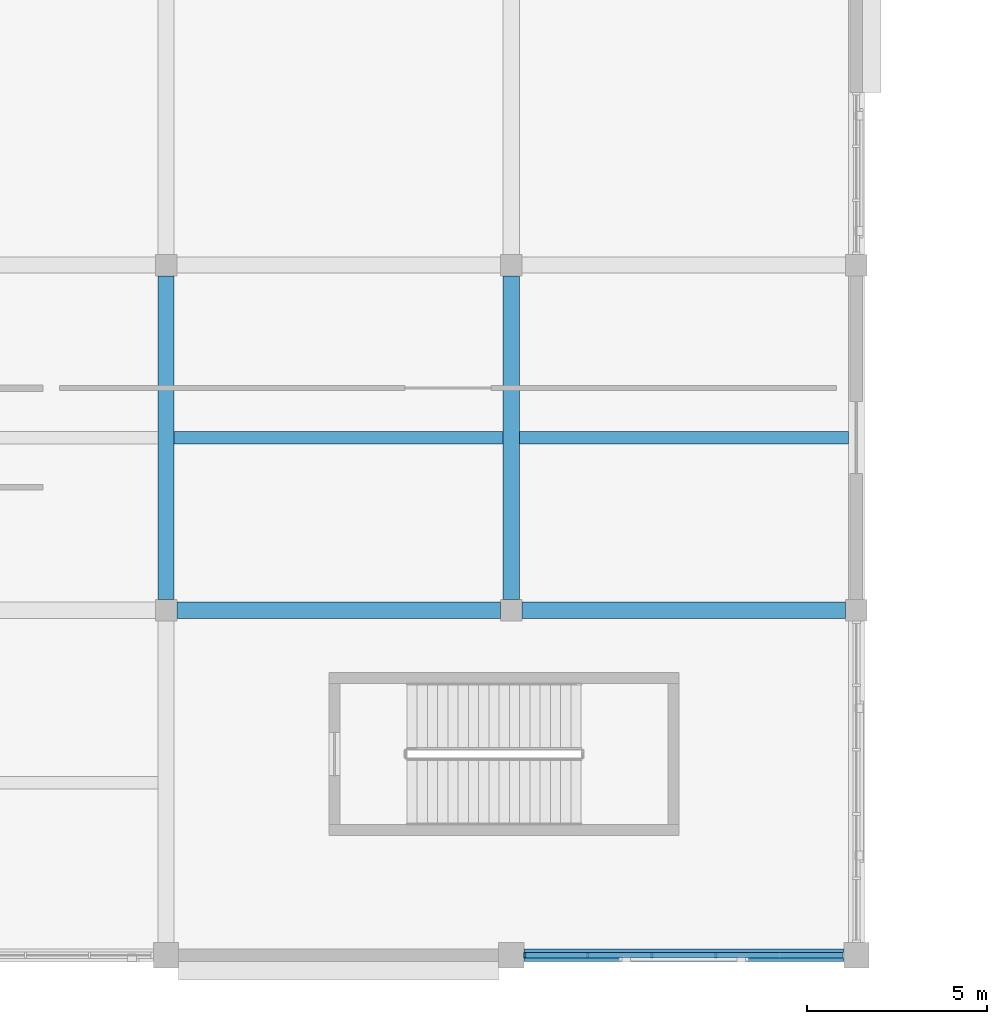
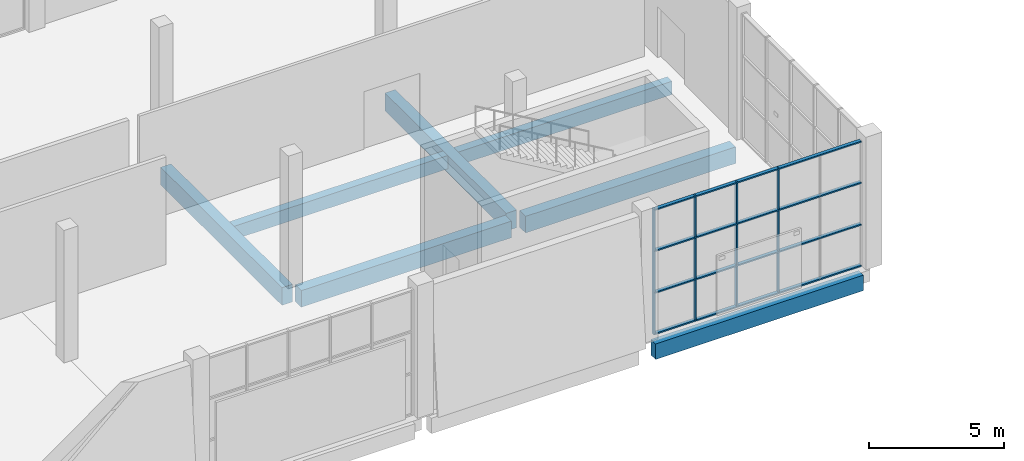
# One storey, part 6 of 84: 8 members, 7 beams, 1 element without a shape of its own.
"""IFC4 building model written with IfcOpenShell, lengths in metres."""

from ifc_helpers import new_model, si_unit, direction, frame, origin, origin_2d, place, context, subcontext, project, spatial, rectangle, extrude, material, material_profile, profile_set, type_object, element, aggregate, save


model = new_model("IFC4")

# Units and contexts
model_context = context("Model", 3, precision=1e-05, world=origin(), true_north=direction((0.0, 1.0)))
body_context = subcontext(model_context, "Body", "Model", "MODEL_VIEW")
ifc_project = project(units=[si_unit("LENGTHUNIT", "METRE"), si_unit("AREAUNIT", "SQUARE_METRE"), si_unit("VOLUMEUNIT", "CUBIC_METRE"), si_unit("PLANEANGLEUNIT", "RADIAN"), si_unit("MASSUNIT", "GRAM", prefix="KILO")], contexts=[model_context])

# Site, building, storey
site_placement = place(None, origin())
site = spatial("IfcSite", under=ifc_project, at=site_placement, CompositionType="ELEMENT")
building_placement = place(site_placement, origin())
building = spatial("IfcBuilding", under=site, at=building_placement, Name="Shalvenor Court Art Gallery", CompositionType="ELEMENT")
storey_placement = place(building_placement, origin())
storey = spatial("IfcBuildingStorey", under=building, at=storey_placement, Name="L00", CompositionType="ELEMENT", Elevation=0.0)

# Beams
ifc_material_1 = material(Name="Concrete C40/50", Category="concrete")
ifc_material_profile_1 = material_profile(ifc_material_1, rectangle(XDim=0.449951171875, YDim=0.800048828125, at=origin_2d()), Name="RC 450x800")
ifc_profile_set_1 = profile_set([ifc_material_profile_1], Name="Concrete C40/50")
beam_type_1 = type_object("IfcBeamType", Name="B-03", PredefinedType="BEAM", material=ifc_profile_set_1)
for number, where, z_axis, x_axis, name in (
    (1, (48.0, 9.89990234375, -0.739990234375), (0.0, 1.0, 0.0), (-1.0, 0.0, 0.0), "L00 Girder BM-L00-B-03-0042"),
    (2, (57.60009765625, 9.89990234375, -0.739990234375), (0.0, 1.0, 0.0), (-1.0, 0.0, 0.0), "L00 Girder BM-L00-B-03-0046"),
):
    element("IfcBeam", number, at=place(storey_placement, frame(where, z_axis=z_axis, x_axis=x_axis)), inside=storey, type_object=beam_type_1, Name=name, PredefinedType="BEAM", context=body_context, shape_type="SweptSolid", body=[
        extrude(rectangle(XDim=0.449951171875, YDim=0.800048828125, at=origin_2d()), origin(), (0.0, 0.0, 1.0), 9.0),
    ])
ifc_material_2 = material(Name="Concrete C40/50", Category="concrete")
ifc_material_profile_2 = material_profile(ifc_material_2, rectangle(XDim=0.449951171875, YDim=0.75, at=origin_2d()), Name="RC 450x750")
ifc_profile_set_2 = profile_set([ifc_material_profile_2], Name="Concrete C40/50")
beam_type_2 = type_object("IfcBeamType", Name="B-04", PredefinedType="BEAM", material=ifc_profile_set_2)
for number, where, z_axis, x_axis, name in (
    (3, (48.300048828125, 9.60009765625, -0.715087890625), (1.0, 0.0, 0.0), (0.0, 1.0, 0.0), "L00 Girder BM-L00-B-04-0154"),
    (4, (57.89990234375, 9.60009765625, -0.715087890625), (1.0, 0.0, 0.0), (0.0, 1.0, 0.0), "L00 Girder BM-L00-B-04-0155"),
):
    element("IfcBeam", number, at=place(storey_placement, frame(where, z_axis=z_axis, x_axis=x_axis)), inside=storey, type_object=beam_type_2, Name=name, PredefinedType="BEAM", context=body_context, shape_type="SweptSolid", body=[
        extrude(rectangle(XDim=0.449951171875, YDim=0.75, at=origin_2d()), origin(), (0.0, 0.0, 1.0), 9.0),
    ])

# Curtain wall, members
ifc_material_3 = material(Name="Anodised aluminium and low-iron glass curtain wall", Category="aluminium")
curtain_wall_type = type_object("IfcCurtainWallType", Name="CW-5x3-89-57-611", PredefinedType="USERDEFINED", material=ifc_material_3)
curtain_wall_placement = place(storey_placement, origin())
curtain_wall = element("IfcCurtainWall", 5, at=curtain_wall_placement, inside=storey, type_object=curtain_wall_type, Name="L00 V4 Curtain Wall CW-L00-123", ObjectType="CURTAIN WALL", PredefinedType="USERDEFINED")
ifc_material_4 = material(Name="Anodised aluminium mullion", Category="aluminium")
ifc_material_profile_3 = material_profile(ifc_material_4, rectangle(XDim=0.054931640625, YDim=0.139892578125, at=origin_2d()), Name="CWM-06")
ifc_profile_set_3 = profile_set([ifc_material_profile_3], Name="Anodised aluminium mullion")
member_type_1 = type_object("IfcMemberType", Name="CWM-06", PredefinedType="MULLION", material=ifc_profile_set_3)
member_1_placement = place(storey_placement, frame((63.2900390625, 0.0, 0.0), z_axis=(0.0, 0.0, 1.0), x_axis=(-1.0, 0.0, 0.0)))
member_1 = element("IfcMember", 6, at=member_1_placement, type_object=member_type_1, Name="CW-5x3-89-57-611 mullion 3", PredefinedType="MULLION", context=body_context, shape_type="SweptSolid", body=[
    extrude(rectangle(XDim=0.054931640625, YDim=0.139892578125, at=origin_2d()), origin(), (0.0, 0.0, 1.0), 5.679931640625),
])
member_2_placement = place(storey_placement, frame((61.510009765625, 0.0, 0.0), z_axis=(0.0, 0.0, 1.0), x_axis=(-1.0, 0.0, 0.0)))
member_2 = element("IfcMember", 7, at=member_2_placement, type_object=member_type_1, Name="CW-5x3-89-57-611 mullion 4", PredefinedType="MULLION", context=body_context, shape_type="SweptSolid", body=[
    extrude(rectangle(XDim=0.054931640625, YDim=0.139892578125, at=origin_2d()), origin(), (0.0, 0.0, 1.0), 5.679931640625),
])
member_3_placement = place(storey_placement, frame((59.72998046875, 0.0, 0.0), z_axis=(0.0, 0.0, 1.0), x_axis=(-1.0, 0.0, 0.0)))
member_3 = element("IfcMember", 8, at=member_3_placement, type_object=member_type_1, Name="CW-5x3-89-57-611 mullion 5", PredefinedType="MULLION", context=body_context, shape_type="SweptSolid", body=[
    extrude(rectangle(XDim=0.054931640625, YDim=0.139892578125, at=origin_2d()), origin(), (0.0, 0.0, 1.0), 5.679931640625),
])
member_4_placement = place(storey_placement, frame((57.9775390625, 0.0, 0.0), z_axis=(0.0, 0.0, 1.0), x_axis=(-1.0, 0.0, 0.0)))
member_4 = element("IfcMember", 9, at=member_4_placement, type_object=member_type_1, Name="CW-5x3-89-57-611 mullion 6", PredefinedType="MULLION", context=body_context, shape_type="SweptSolid", body=[
    extrude(rectangle(XDim=0.054931640625, YDim=0.139892578125, at=origin_2d()), origin(), (0.0, 0.0, 1.0), 5.679931640625),
])
ifc_material_5 = material(Name="Anodised aluminium transom", Category="aluminium")
ifc_material_profile_4 = material_profile(ifc_material_5, rectangle(XDim=0.14990234375, YDim=0.06005859375, at=origin_2d()), Name="CWT-01")
ifc_profile_set_4 = profile_set([ifc_material_profile_4], Name="Anodised aluminium transom")
member_type_2 = type_object("IfcMemberType", Name="CWT-01", PredefinedType="USERDEFINED", material=ifc_profile_set_4)
member_5_placement = place(storey_placement, frame((66.822509765625, 0.0, 0.030029296875), z_axis=(-1.0, 0.0, 0.0), x_axis=(0.0, -1.0, 0.0)))
member_5 = element("IfcMember", 10, at=member_5_placement, type_object=member_type_2, Name="CW-5x3-89-57-611 transom 1", ObjectType="TRANSOM", PredefinedType="USERDEFINED", context=body_context, shape_type="SweptSolid", body=[
    extrude(rectangle(XDim=0.14990234375, YDim=0.06005859375, at=origin_2d()), origin(), (0.0, 0.0, 1.0), 8.844970703125),
])
member_6_placement = place(storey_placement, frame((66.822509765625, 0.0, 1.893310546875), z_axis=(-1.0, 0.0, 0.0), x_axis=(0.0, -1.0, 0.0)))
member_6 = element("IfcMember", 11, at=member_6_placement, type_object=member_type_2, Name="CW-5x3-89-57-611 transom 2", ObjectType="TRANSOM", PredefinedType="USERDEFINED", context=body_context, shape_type="SweptSolid", body=[
    extrude(rectangle(XDim=0.14990234375, YDim=0.06005859375, at=origin_2d()), origin(), (0.0, 0.0, 1.0), 8.844970703125),
])
member_7_placement = place(storey_placement, frame((66.822509765625, 0.0, 3.78662109375), z_axis=(-1.0, 0.0, 0.0), x_axis=(0.0, -1.0, 0.0)))
member_7 = element("IfcMember", 12, at=member_7_placement, type_object=member_type_2, Name="CW-5x3-89-57-611 transom 3", ObjectType="TRANSOM", PredefinedType="USERDEFINED", context=body_context, shape_type="SweptSolid", body=[
    extrude(rectangle(XDim=0.14990234375, YDim=0.06005859375, at=origin_2d()), origin(), (0.0, 0.0, 1.0), 8.844970703125),
])
member_8_placement = place(storey_placement, frame((66.822509765625, 0.0, 5.64990234375), z_axis=(-1.0, 0.0, 0.0), x_axis=(0.0, -1.0, 0.0)))
member_8 = element("IfcMember", 13, at=member_8_placement, type_object=member_type_2, Name="CW-5x3-89-57-611 transom 4", ObjectType="TRANSOM", PredefinedType="USERDEFINED", context=body_context, shape_type="SweptSolid", body=[
    extrude(rectangle(XDim=0.14990234375, YDim=0.06005859375, at=origin_2d()), origin(), (0.0, 0.0, 1.0), 8.844970703125),
])
aggregate(curtain_wall, [member_1, member_2, member_3, member_4, member_5, member_6, member_7, member_8])

# Beams
ifc_material_6 = material(Name="Concrete C40/50", Category="concrete")
ifc_material_profile_5 = material_profile(ifc_material_6, rectangle(XDim=0.35009765625, YDim=0.60009765625, at=origin_2d()), Name="RC 350x600")
ifc_profile_set_5 = profile_set([ifc_material_profile_5], Name="Concrete C40/50")
beam_type_3 = type_object("IfcBeamType", Name="J-01", PredefinedType="JOIST", material=ifc_profile_set_5)
beam_1_placement = place(storey_placement, frame((48.22509765625, 14.39990234375, -0.639892578125), z_axis=(1.0, 0.0, 0.0), x_axis=(0.0, 1.0, 0.0)))
element("IfcBeam", 14, at=beam_1_placement, inside=storey, type_object=beam_type_3, Name="L00 Secondary Beam JST-L00-J-01-0304", PredefinedType="JOIST", context=body_context, shape_type="SweptSolid", body=[
    extrude(rectangle(XDim=0.35009765625, YDim=0.60009765625, at=origin_2d()), origin(), (0.0, 0.0, 1.0), 9.14990234375),
])
beam_2_placement = place(storey_placement, frame((57.824951171875, 14.39990234375, -0.639892578125), z_axis=(1.0, 0.0, 0.0), x_axis=(0.0, 1.0, 0.0)))
element("IfcBeam", 15, at=beam_2_placement, inside=storey, type_object=beam_type_3, Name="L00 Secondary Beam JST-L00-J-01-0305", PredefinedType="JOIST", context=body_context, shape_type="SweptSolid", body=[
    extrude(rectangle(XDim=0.35009765625, YDim=0.60009765625, at=origin_2d()), origin(), (0.0, 0.0, 1.0), 9.150146484375),
])
ifc_material_7 = material(Name="Concrete C40/50", Category="concrete")
ifc_material_profile_6 = material_profile(ifc_material_7, rectangle(XDim=0.35009765625, YDim=0.699951171875, at=origin_2d()), Name="RC 350x700")
ifc_profile_set_6 = profile_set([ifc_material_profile_6], Name="Concrete C40/50")
beam_type_4 = type_object("IfcBeamType", Name="SP-01", PredefinedType="SPANDREL", material=ifc_profile_set_6)
beam_3_placement = place(storey_placement, frame((57.949951171875, 0.0, -0.68994140625), z_axis=(1.0, 0.0, 0.0), x_axis=(0.0, 1.0, 0.0)))
element("IfcBeam", 16, at=beam_3_placement, inside=storey, type_object=beam_type_4, Name="L00 Spandrel Girder BM-L00-SP-01-0145", PredefinedType="SPANDREL", context=body_context, shape_type="SweptSolid", body=[
    extrude(rectangle(XDim=0.35009765625, YDim=0.699951171875, at=origin_2d()), origin(), (0.0, 0.0, 1.0), 8.900146484375),
])

save(model, "model.ifc")
